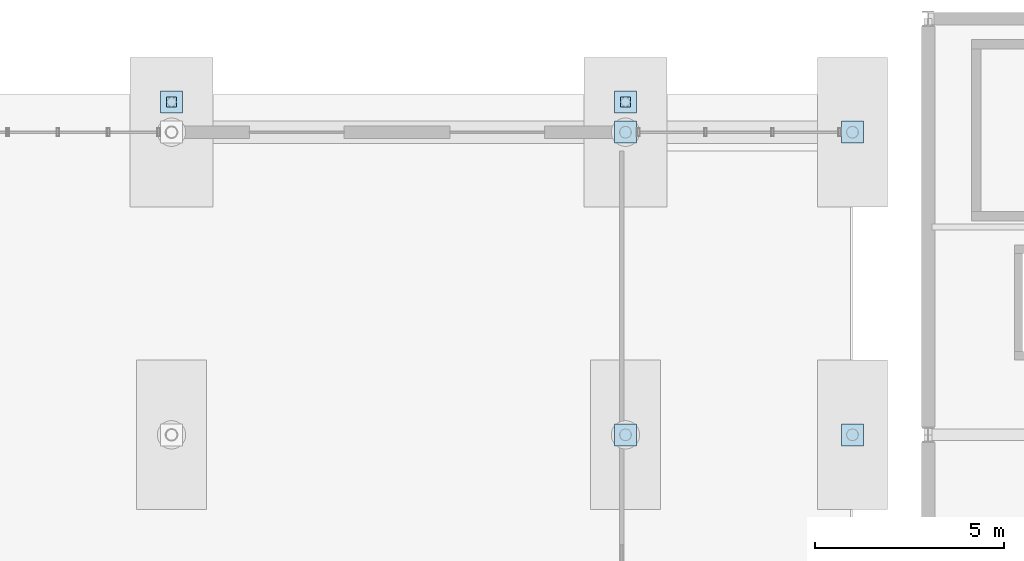
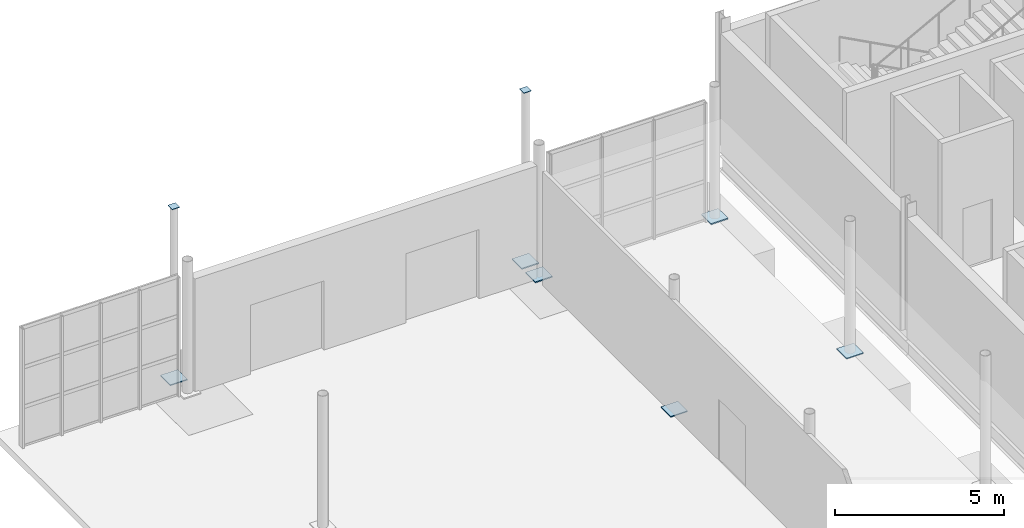
# One storey, part 72 of 101: 8 plates.
"""IFC4 building model written with IfcOpenShell, lengths in metres."""

from ifc_helpers import new_model, si_unit, derived_unit, direction, frame, origin, origin_2d, place, context, subcontext, project, spatial, rectangle, extrude, material, layer, layer_set, type_object, element, save


model = new_model("IFC4")

# Units and contexts
model_context = context("Model", 3, precision=1e-05, world=origin(), true_north=direction((0.0, 1.0)))
body_context = subcontext(model_context, "Body", "Model", "MODEL_VIEW")
ifc_project = project(units=[si_unit("LENGTHUNIT", "METRE"), si_unit("AREAUNIT", "SQUARE_METRE"), si_unit("VOLUMEUNIT", "CUBIC_METRE"), si_unit("PLANEANGLEUNIT", "RADIAN"), si_unit("MASSUNIT", "GRAM", prefix="KILO"), derived_unit("THERMALTRANSMITTANCEUNIT", [(si_unit("POWERUNIT", "WATT"), 1), (si_unit("LENGTHUNIT", "METRE"), -2), (si_unit("THERMODYNAMICTEMPERATUREUNIT", "KELVIN"), -1)])], contexts=[model_context])

# Site, building, storey
site_placement = place(None, origin())
site = spatial("IfcSite", under=ifc_project, at=site_placement, CompositionType="ELEMENT")
building_placement = place(site_placement, origin())
building = spatial("IfcBuilding", under=site, at=building_placement, Name="Keldorne Ridge Multi-Sports Centre", CompositionType="ELEMENT")
storey_placement = place(building_placement, origin())
storey = spatial("IfcBuildingStorey", under=building, at=storey_placement, Name="L00", CompositionType="ELEMENT", Elevation=0.0)

# Plates
ifc_material = material(Name="Steel S355", Category="steel")
ifc_layer_1 = layer(ifc_material, 0.031982421875)
ifc_layer_set_1 = layer_set([ifc_layer_1], Name="Steel S355")
plate_type_1 = type_object("IfcPlateType", Name="PLT-PL-BP1", PredefinedType="USERDEFINED", material=ifc_layer_set_1)
for number, where, z_axis, x_axis, name in (
    (1, (96.0, 106.0, 0.0), (0.0, 0.0, 1.0), (1.0, 0.0, 0.0), "Column baseplate V4-G14-13"),
    (2, (102.0, 106.0, 0.0), (0.0, 0.0, 1.0), (1.0, 0.0, 0.0), "Column baseplate V4-G15-13"),
):
    element("IfcPlate", number, at=place(storey_placement, frame(where, z_axis=z_axis, x_axis=x_axis)), inside=storey, type_object=plate_type_1, Name=name, ObjectType="GUSSET PLATE", PredefinedType="USERDEFINED", context=body_context, shape_type="SweptSolid", body=[
        extrude(rectangle(XDim=0.580078125, YDim=0.580078125, at=origin_2d()), origin(), (0.0, 0.0, 1.0), 0.031982421875),
    ])
ifc_layer_2 = layer(ifc_material, 0.0400390625)
ifc_layer_set_2 = layer_set([ifc_layer_2], Name="Steel S355")
plate_type_2 = type_object("IfcPlateType", Name="PLT-PL-BP2", PredefinedType="USERDEFINED", material=ifc_layer_set_2)
for number, where, z_axis, x_axis, name in (
    (3, (96.0, 114.0, 0.0), (0.0, 0.0, 1.0), (1.0, 0.0, 0.0), "Column baseplate V4-G14-14"),
    (4, (102.0, 114.0, 0.0), (0.0, 0.0, 1.0), (1.0, 0.0, 0.0), "Column baseplate V4-G15-14"),
    (5, (84.0, 114.800048828125, 0.0), (0.0, 0.0, 1.0), (1.0, 0.0, 0.0), "Column baseplate V4-CAN-N-01"),
    (6, (96.0, 114.800048828125, 0.0), (0.0, 0.0, 1.0), (1.0, 0.0, 0.0), "Column baseplate V4-CAN-N-02"),
):
    element("IfcPlate", number, at=place(storey_placement, frame(where, z_axis=z_axis, x_axis=x_axis)), inside=storey, type_object=plate_type_2, Name=name, ObjectType="GUSSET PLATE", PredefinedType="USERDEFINED", context=body_context, shape_type="SweptSolid", body=[
        extrude(rectangle(XDim=0.580078125, YDim=0.580078125, at=origin_2d()), origin(), (0.0, 0.0, 1.0), 0.0400390625),
    ])
ifc_layer_3 = layer(ifc_material, 0.01611328125)
ifc_layer_set_3 = layer_set([ifc_layer_3], Name="Steel S355")
plate_type_3 = type_object("IfcPlateType", Name="PLT-PL-EC1", PredefinedType="USERDEFINED", material=ifc_layer_set_3)
for number, where, z_axis, x_axis, name in (
    (7, (84.0, 114.800048828125, 6.199951171875), (0.0, 0.0, 1.0), (1.0, 0.0, 0.0), "Canopy column V4-CAN-N-01 top welded closure plate"),
    (8, (96.0, 114.800048828125, 6.199951171875), (0.0, 0.0, 1.0), (1.0, 0.0, 0.0), "Canopy column V4-CAN-N-02 top welded closure plate"),
):
    element("IfcPlate", number, at=place(storey_placement, frame(where, z_axis=z_axis, x_axis=x_axis)), inside=storey, type_object=plate_type_3, Name=name, ObjectType="GUSSET PLATE", PredefinedType="USERDEFINED", context=body_context, shape_type="SweptSolid", body=[
        extrude(rectangle(XDim=0.260009765625, YDim=0.260009765625, at=origin_2d()), origin(), (0.0, 0.0, 1.0), 0.01611328125),
    ])

save(model, "model.ifc")
